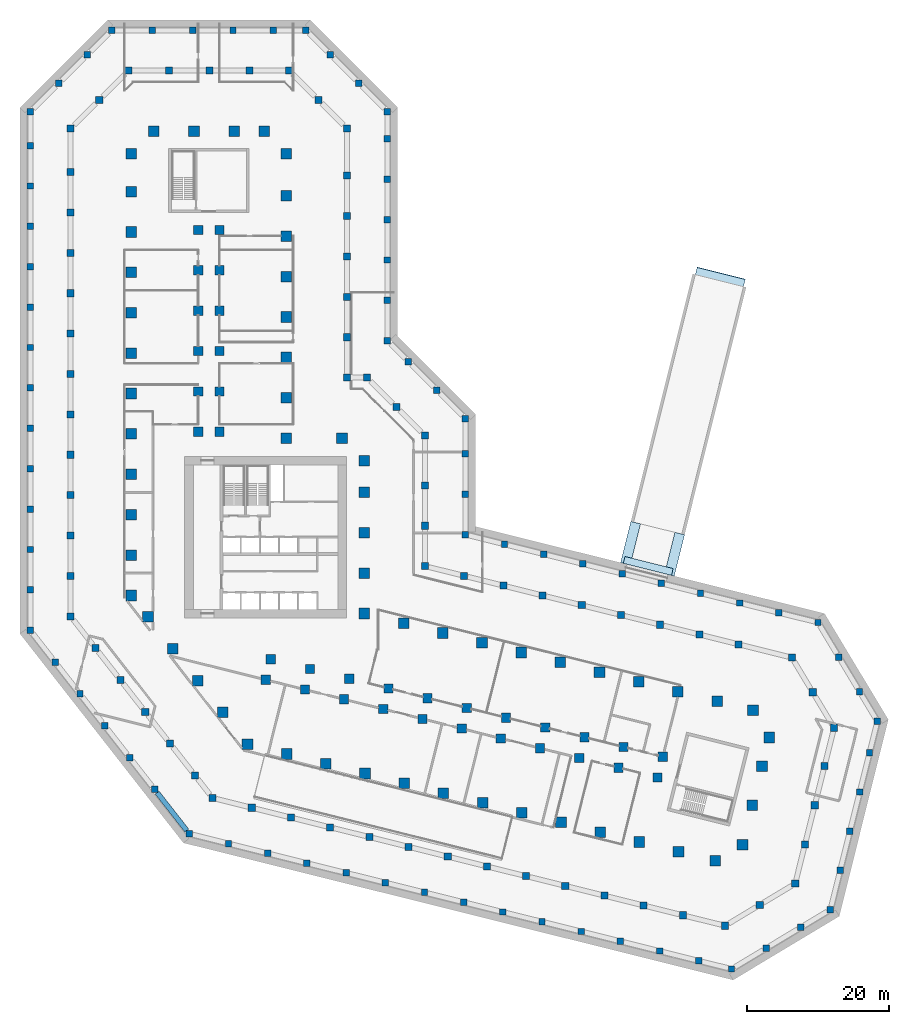
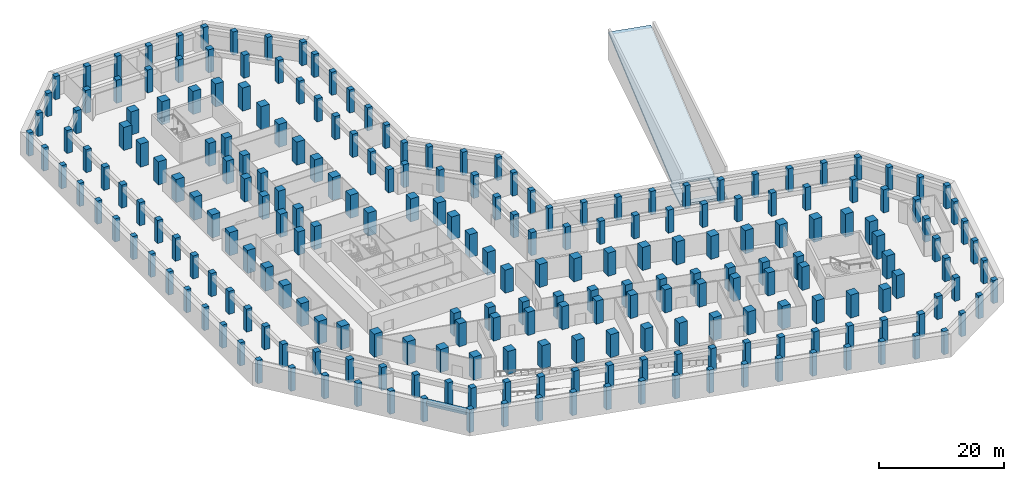
# One storey, part 1 of 14: 239 columns, 4 footings, 1 beam.
"""IFC4 building model written with IfcOpenShell, lengths in metres."""

from ifc_helpers import new_model, si_unit, direction, frame, origin, origin_2d, place, context, subcontext, project, spatial, polyline, rectangle, outline, extrude, material, layer, layer_set, material_profile, profile_set, type_object, element, save


model = new_model("IFC4")

# Units and contexts
model_context = context("Model", 3, precision=1e-05, world=origin(), true_north=direction((0.0, 1.0)))
body_context = subcontext(model_context, "Body", "Model", "MODEL_VIEW")
ifc_project = project(units=[si_unit("LENGTHUNIT", "METRE"), si_unit("AREAUNIT", "SQUARE_METRE"), si_unit("VOLUMEUNIT", "CUBIC_METRE"), si_unit("PLANEANGLEUNIT", "RADIAN"), si_unit("MASSUNIT", "GRAM", prefix="KILO")], contexts=[model_context])

# Site, building, storey
site_placement = place(None, origin())
site = spatial("IfcSite", under=ifc_project, at=site_placement, CompositionType="ELEMENT")
building_placement = place(site_placement, origin())
building = spatial("IfcBuilding", under=site, at=building_placement, Name="Meshkara Civic Tower", CompositionType="ELEMENT")
storey_placement = place(building_placement, frame((0.0, 0.0, -4.5)))
storey = spatial("IfcBuildingStorey", under=building, at=storey_placement, Name="B1", CompositionType="ELEMENT", Elevation=-4.5)

# Footings
ifc_material_1 = material(Name="Concrete C40", Category="concrete")
ifc_layer = layer(ifc_material_1, 0.39990234375)
ifc_layer_set = layer_set([ifc_layer], Name="RAMP FOOTING 400")
footing_type = type_object("IfcFootingType", Name="RAMP FOOTING 400", PredefinedType="PAD_FOOTING", material=ifc_layer_set)
footing_1_placement = place(storey_placement, frame((0.0, 0.0, -0.800048828125)))
element("IfcFooting", 1, at=footing_1_placement, inside=storey, type_object=footing_type, Name="Ramp landing footing", PredefinedType="PAD_FOOTING", context=body_context, shape_type="SweptSolid", body=[
    extrude(outline(polyline([(77.076904296875, 19.9970703125), (78.528564453125, 25.81884765625), (77.170166015625, 26.15771484375), (75.718505859375, 20.335693359375), (77.076904296875, 19.9970703125)])), origin(), (0.0, 0.0, 1.0), 0.400146484375),
])
footing_2_placement = place(storey_placement, frame((0.0, 0.0, -0.800048828125)))
element("IfcFooting", 2, at=footing_2_placement, inside=storey, type_object=footing_type, Name="Ramp landing footing", PredefinedType="PAD_FOOTING", context=body_context, shape_type="SweptSolid", body=[
    extrude(outline(polyline([(70.8671875, 21.54541015625), (72.318603515625, 27.3671875), (70.960205078125, 27.705810546875), (69.5087890625, 21.88427734375), (70.8671875, 21.54541015625)])), origin(), (0.0, 0.0, 1.0), 0.400146484375),
])
footing_3_placement = place(storey_placement, frame((0.0, 0.0, -0.800048828125)))
element("IfcFooting", 3, at=footing_3_placement, inside=storey, type_object=footing_type, Name="Ramp landing footing", PredefinedType="PAD_FOOTING", context=body_context, shape_type="SweptSolid", body=[
    extrude(outline(polyline([(76.68896484375, 20.093994140625), (76.930908203125, 21.064208984375), (70.138916015625, 22.7578125), (69.896728515625, 21.787353515625), (76.68896484375, 20.093994140625)])), origin(), (0.0, 0.0, 1.0), 0.400146484375),
])
footing_4_placement = place(storey_placement, frame((78.152587890625, 25.9638671875, -0.39697265625), z_axis=(-0.0300049813, -0.120350862493, 0.99227786985), x_axis=(-0.970300248883, 0.241903755691, -5.19195e-07)))
element("IfcFooting", 4, at=footing_4_placement, inside=storey, type_object=footing_type, Name="Ramp bed footing", PredefinedType="PAD_FOOTING", context=body_context, shape_type="SweptSolid", body=[
    extrude(outline(polyline([(0.0, 0.0), (7.000138592198582, 2.220446049250313e-16), (6.999132443142575, -37.28795487706003), (-0.0007692593468082255, -37.28789627459887), (0.0, 0.0)])), origin(), (0.0, 0.0, -1.0), 0.39990234375),
])

# Columns
ifc_material_2 = material(Name="Concrete C60", Category="concrete")
ifc_material_profile_1 = material_profile(ifc_material_2, rectangle(XDim=0.89990234375, YDim=0.89990234375, at=origin_2d()))
ifc_profile_set_1 = profile_set([ifc_material_profile_1], Name="Concrete C60")
column_type_1 = type_object("IfcColumnType", Name="Basement edge column RC 900x900 C60", PredefinedType="COLUMN", material=ifc_profile_set_1)
for number, where, z_axis, x_axis, name in (
    (5, (-2.297119140625, 97.02001953125, 0.0), (0.0, 0.0, 1.0), (1.0, 0.0, 0.0), "Column BM00-00 B1"),
    (6, (3.403076171875, 97.02001953125, 0.0), (0.0, 0.0, 1.0), (1.0, 0.0, 0.0), "Column BM00-01 B1"),
    (7, (9.10302734375, 97.02001953125, 0.0), (0.0, 0.0, 1.0), (1.0, 0.0, 0.0), "Column BM00-02 B1"),
    (8, (14.802978515625, 97.02001953125, 0.0), (0.0, 0.0, 1.0), (1.0, 0.0, 0.0), "Column BM00-03 B1"),
    (9, (20.5029296875, 97.02001953125, 0.0), (0.0, 0.0, 1.0), (1.0, 0.0, 0.0), "Column BM00-04 B1"),
    (10, (25.096923828125, 97.02001953125, 0.0), (0.0, 0.0, 1.0), (1.0, 0.0, 0.0), "Column BM00-E B1"),
    (11, (-13.800048828125, 85.51708984375, 0.0), (0.0, 0.0, 1.0), (1.0, 0.0, 0.0), "Column BM01-00 B1"),
    (12, (-9.76904296875, 89.548095703125, 0.0), (0.0, 0.0, 1.0), (1.0, 0.0, 0.0), "Column BM01-01 B1"),
    (13, (-5.739013671875, 93.577880859375, 0.0), (0.0, 0.0, 1.0), (1.0, 0.0, 0.0), "Column BM01-02 B1"),
    (14, (-13.800048828125, 12.347900390625, 0.0), (0.0, 0.0, 1.0), (1.0, 0.0, 0.0), "Column BM02-00 B1"),
    (15, (-13.800048828125, 18.048095703125, 0.0), (0.0, 0.0, 1.0), (1.0, 0.0, 0.0), "Column BM02-01 B1"),
    (16, (-13.800048828125, 23.748046875, 0.0), (0.0, 0.0, 1.0), (1.0, 0.0, 0.0), "Column BM02-02 B1"),
    (17, (-13.800048828125, 29.447998046875, 0.0), (0.0, 0.0, 1.0), (1.0, 0.0, 0.0), "Column BM02-03 B1"),
    (18, (-13.800048828125, 35.14794921875, 0.0), (0.0, 0.0, 1.0), (1.0, 0.0, 0.0), "Column BM02-04 B1"),
    (19, (-13.800048828125, 40.847900390625, 0.0), (0.0, 0.0, 1.0), (1.0, 0.0, 0.0), "Column BM02-05 B1"),
    (20, (-13.800048828125, 46.548095703125, 0.0), (0.0, 0.0, 1.0), (1.0, 0.0, 0.0), "Column BM02-06 B1"),
    (21, (-13.800048828125, 52.248046875, 0.0), (0.0, 0.0, 1.0), (1.0, 0.0, 0.0), "Column BM02-07 B1"),
    (22, (-13.800048828125, 57.947998046875, 0.0), (0.0, 0.0, 1.0), (1.0, 0.0, 0.0), "Column BM02-08 B1"),
    (23, (-13.800048828125, 63.64794921875, 0.0), (0.0, 0.0, 1.0), (1.0, 0.0, 0.0), "Column BM02-09 B1"),
    (24, (-13.800048828125, 69.347900390625, 0.0), (0.0, 0.0, 1.0), (1.0, 0.0, 0.0), "Column BM02-10 B1"),
    (25, (-13.800048828125, 75.048095703125, 0.0), (0.0, 0.0, 1.0), (1.0, 0.0, 0.0), "Column BM02-11 B1"),
    (26, (-13.800048828125, 80.748046875, 0.0), (0.0, 0.0, 1.0), (1.0, 0.0, 0.0), "Column BM02-12 B1"),
    (27, (-10.291015625, 7.85595703125, 0.0), (0.0, 0.0, 1.0), (1.0, 0.0, 0.0), "Column BM03-01 B1"),
    (28, (-6.781982421875, 3.364990234375, 0.0), (0.0, 0.0, 1.0), (1.0, 0.0, 0.0), "Column BM03-02 B1"),
    (29, (-3.27197265625, -1.126953125, 0.0), (0.0, 0.0, 1.0), (1.0, 0.0, 0.0), "Column BM03-03 B1"),
    (30, (0.237060546875, -5.618896484375, 0.0), (0.0, 0.0, 1.0), (1.0, 0.0, 0.0), "Column BM03-04 B1"),
    (31, (3.74609375, -10.110107421875, 0.0), (0.0, 0.0, 1.0), (1.0, 0.0, 0.0), "Column BM03-05 B1"),
    (32, (8.64306640625, -16.3779296875, 0.0), (0.0, 0.0, 1.0), (1.0, 0.0, 0.0), "Column BM03-E B1"),
    (33, (14.174072265625, -17.757080078125, 0.0), (0.0, 0.0, 1.0), (1.0, 0.0, 0.0), "Column BM04-01 B1"),
    (34, (19.7041015625, -19.135986328125, 0.0), (0.0, 0.0, 1.0), (1.0, 0.0, 0.0), "Column BM04-02 B1"),
    (35, (25.235107421875, -20.514892578125, 0.0), (0.0, 0.0, 1.0), (1.0, 0.0, 0.0), "Column BM04-03 B1"),
    (36, (30.76611328125, -21.89404296875, 0.0), (0.0, 0.0, 1.0), (1.0, 0.0, 0.0), "Column BM04-04 B1"),
    (37, (36.2958984375, -23.27197265625, 0.0), (0.0, 0.0, 1.0), (1.0, 0.0, 0.0), "Column BM04-05 B1"),
    (38, (41.826904296875, -24.65087890625, 0.0), (0.0, 0.0, 1.0), (1.0, 0.0, 0.0), "Column BM04-06 B1"),
    (39, (47.35791015625, -26.030029296875, 0.0), (0.0, 0.0, 1.0), (1.0, 0.0, 0.0), "Column BM04-07 B1"),
    (40, (52.888916015625, -27.408935546875, 0.0), (0.0, 0.0, 1.0), (1.0, 0.0, 0.0), "Column BM04-08 B1"),
    (41, (58.4189453125, -28.7880859375, 0.0), (0.0, 0.0, 1.0), (1.0, 0.0, 0.0), "Column BM04-09 B1"),
    (42, (63.949951171875, -30.1669921875, 0.0), (0.0, 0.0, 1.0), (1.0, 0.0, 0.0), "Column BM04-10 B1"),
    (43, (69.48095703125, -31.5458984375, 0.0), (0.0, 0.0, 1.0), (1.0, 0.0, 0.0), "Column BM04-11 B1"),
    (44, (75.010986328125, -32.925048828125, 0.0), (0.0, 0.0, 1.0), (1.0, 0.0, 0.0), "Column BM04-12 B1"),
    (45, (80.5419921875, -34.303955078125, 0.0), (0.0, 0.0, 1.0), (1.0, 0.0, 0.0), "Column BM04-13 B1"),
    (46, (85.16796875, -35.45703125, 0.0), (0.0, 0.0, 1.0), (1.0, 0.0, 0.0), "Column BM04-E B1"),
    (47, (90.053955078125, -32.52099609375, 0.0), (0.0, 0.0, 1.0), (1.0, 0.0, 0.0), "Column BM05-01 B1"),
    (48, (94.93994140625, -29.5849609375, 0.0), (0.0, 0.0, 1.0), (1.0, 0.0, 0.0), "Column BM05-02 B1"),
    (49, (99.112060546875, -27.077880859375, 0.0), (0.0, 0.0, 1.0), (1.0, 0.0, 0.0), "Column BM05-E B1"),
    (50, (100.490966796875, -21.547119140625, 0.0), (0.0, 0.0, 1.0), (1.0, 0.0, 0.0), "Column BM06-01 B1"),
    (51, (101.8701171875, -16.01708984375, 0.0), (0.0, 0.0, 1.0), (1.0, 0.0, 0.0), "Column BM06-02 B1"),
    (52, (103.25, -10.486083984375, 0.0), (0.0, 0.0, 1.0), (1.0, 0.0, 0.0), "Column BM06-03 B1"),
    (53, (104.62890625, -4.955078125, 0.0), (0.0, 0.0, 1.0), (1.0, 0.0, 0.0), "Column BM06-04 B1"),
    (54, (105.739990234375, -0.4990234375, 0.0), (0.0, 0.0, 1.0), (1.0, 0.0, 0.0), "Column BM06-E B1"),
    (55, (97.360107421875, 13.445068359375, 0.0), (0.0, 0.0, 1.0), (1.0, 0.0, 0.0), "Column BM07-00 B1"),
    (56, (100.2958984375, 8.55908203125, 0.0), (0.0, 0.0, 1.0), (1.0, 0.0, 0.0), "Column BM07-01 B1"),
    (57, (103.23193359375, 3.674072265625, 0.0), (0.0, 0.0, 1.0), (1.0, 0.0, 0.0), "Column BM07-02 B1"),
    (58, (47.60009765625, 25.85205078125, 0.0), (0.0, 0.0, 1.0), (1.0, 0.0, 0.0), "Column BM08-00 B1"),
    (59, (53.131103515625, 24.472900390625, 0.0), (0.0, 0.0, 1.0), (1.0, 0.0, 0.0), "Column BM08-01 B1"),
    (60, (58.660888671875, 23.093994140625, 0.0), (0.0, 0.0, 1.0), (1.0, 0.0, 0.0), "Column BM08-02 B1"),
    (61, (64.19189453125, 21.715087890625, 0.0), (0.0, 0.0, 1.0), (1.0, 0.0, 0.0), "Column BM08-03 B1"),
    (62, (69.722900390625, 20.3359375, 0.0), (0.0, 0.0, 1.0), (1.0, 0.0, 0.0), "Column BM08-04 B1"),
    (63, (75.2529296875, 18.95703125, 0.0), (0.0, 0.0, 1.0), (1.0, 0.0, 0.0), "Column BM08-05 B1"),
    (64, (80.783935546875, 17.577880859375, 0.0), (0.0, 0.0, 1.0), (1.0, 0.0, 0.0), "Column BM08-06 B1"),
    (65, (86.31494140625, 16.198974609375, 0.0), (0.0, 0.0, 1.0), (1.0, 0.0, 0.0), "Column BM08-07 B1"),
    (66, (91.844970703125, 14.820068359375, 0.0), (0.0, 0.0, 1.0), (1.0, 0.0, 0.0), "Column BM08-08 B1"),
    (67, (47.60009765625, 31.552001953125, 0.0), (0.0, 0.0, 1.0), (1.0, 0.0, 0.0), "Column BM09-01 B1"),
    (68, (47.60009765625, 37.251953125, 0.0), (0.0, 0.0, 1.0), (1.0, 0.0, 0.0), "Column BM09-02 B1"),
    (69, (47.60009765625, 42.197021484375, 0.0), (0.0, 0.0, 1.0), (1.0, 0.0, 0.0), "Column BM09-E B1"),
    (70, (43.569091796875, 46.22802734375, 0.0), (0.0, 0.0, 1.0), (1.0, 0.0, 0.0), "Column BM10-01 B1"),
    (71, (39.5390625, 50.258056640625, 0.0), (0.0, 0.0, 1.0), (1.0, 0.0, 0.0), "Column BM10-02 B1"),
    (72, (36.60009765625, 53.197021484375, 0.0), (0.0, 0.0, 1.0), (1.0, 0.0, 0.0), "Column BM10-E B1"),
    (73, (36.60009765625, 58.89697265625, 0.0), (0.0, 0.0, 1.0), (1.0, 0.0, 0.0), "Column BM11-01 B1"),
    (74, (36.60009765625, 64.596923828125, 0.0), (0.0, 0.0, 1.0), (1.0, 0.0, 0.0), "Column BM11-02 B1"),
    (75, (36.60009765625, 70.297119140625, 0.0), (0.0, 0.0, 1.0), (1.0, 0.0, 0.0), "Column BM11-03 B1"),
    (76, (36.60009765625, 75.9970703125, 0.0), (0.0, 0.0, 1.0), (1.0, 0.0, 0.0), "Column BM11-04 B1"),
    (77, (36.60009765625, 81.697021484375, 0.0), (0.0, 0.0, 1.0), (1.0, 0.0, 0.0), "Column BM11-05 B1"),
    (78, (36.60009765625, 85.51708984375, 0.0), (0.0, 0.0, 1.0), (1.0, 0.0, 0.0), "Column BM11-E B1"),
    (79, (32.569091796875, 89.548095703125, 0.0), (0.0, 0.0, 1.0), (1.0, 0.0, 0.0), "Column BM12-01 B1"),
    (80, (28.5390625, 93.577880859375, 0.0), (0.0, 0.0, 1.0), (1.0, 0.0, 0.0), "Column BM12-02 B1"),
):
    element("IfcColumn", number, at=place(storey_placement, frame(where, z_axis=z_axis, x_axis=x_axis)), inside=storey, type_object=column_type_1, Name=name, PredefinedType="COLUMN", context=body_context, shape_type="SweptSolid", body=[
        extrude(rectangle(XDim=0.89990234375, YDim=0.89990234375, at=origin_2d()), origin(), (0.0, 0.0, 1.0), 4.5),
    ])
ifc_material_3 = material(Name="Concrete C80", Category="concrete")
ifc_material_profile_2 = material_profile(ifc_material_3, rectangle(XDim=1.300048828125, YDim=1.300048828125, at=origin_2d()))
ifc_profile_set_2 = profile_set([ifc_material_profile_2], Name="Concrete C80")
column_type_2 = type_object("IfcColumnType", Name="Interior column RC 1300x1300 C80", PredefinedType="COLUMN", material=ifc_profile_set_2)
for number, where, z_axis, x_axis, name in (
    (81, (9.89990234375, 40.35009765625, 0.0), (0.0, 0.0, 1.0), (1.0, 0.0, 0.0), "Column SA1-04 B1"),
    (82, (9.89990234375, 46.050048828125, 0.0), (0.0, 0.0, 1.0), (1.0, 0.0, 0.0), "Column SA1-05 B1"),
    (83, (9.89990234375, 51.75, 0.0), (0.0, 0.0, 1.0), (1.0, 0.0, 0.0), "Column SA1-06 B1"),
    (84, (9.89990234375, 57.449951171875, 0.0), (0.0, 0.0, 1.0), (1.0, 0.0, 0.0), "Column SA1-07 B1"),
    (85, (9.89990234375, 63.14990234375, 0.0), (0.0, 0.0, 1.0), (1.0, 0.0, 0.0), "Column SA1-08 B1"),
    (86, (9.89990234375, 68.85009765625, 0.0), (0.0, 0.0, 1.0), (1.0, 0.0, 0.0), "Column SA1-09 B1"),
    (87, (12.89990234375, 40.35009765625, 0.0), (0.0, 0.0, 1.0), (1.0, 0.0, 0.0), "Column SA2-04 B1"),
    (88, (12.89990234375, 46.050048828125, 0.0), (0.0, 0.0, 1.0), (1.0, 0.0, 0.0), "Column SA2-05 B1"),
    (89, (12.89990234375, 51.75, 0.0), (0.0, 0.0, 1.0), (1.0, 0.0, 0.0), "Column SA2-06 B1"),
    (90, (12.89990234375, 57.449951171875, 0.0), (0.0, 0.0, 1.0), (1.0, 0.0, 0.0), "Column SA2-07 B1"),
    (91, (12.89990234375, 63.14990234375, 0.0), (0.0, 0.0, 1.0), (1.0, 0.0, 0.0), "Column SA2-08 B1"),
    (92, (12.89990234375, 68.85009765625, 0.0), (0.0, 0.0, 1.0), (1.0, 0.0, 0.0), "Column SA2-09 B1"),
    (93, (19.424072265625, 5.360107421875, 0.0), (0.0, 0.0, 1.0), (1.0, 0.0, 0.0), "Column SB1-00 B1"),
    (94, (24.9541015625, 3.98095703125, 0.0), (0.0, 0.0, 1.0), (1.0, 0.0, 0.0), "Column SB1-01 B1"),
    (95, (30.485107421875, 2.60205078125, 0.0), (0.0, 0.0, 1.0), (1.0, 0.0, 0.0), "Column SB1-02 B1"),
    (96, (36.01611328125, 1.222900390625, 0.0), (0.0, 0.0, 1.0), (1.0, 0.0, 0.0), "Column SB1-03 B1"),
    (97, (41.5458984375, -0.156005859375, 0.0), (0.0, 0.0, 1.0), (1.0, 0.0, 0.0), "Column SB1-04 B1"),
    (98, (47.076904296875, -1.534912109375, 0.0), (0.0, 0.0, 1.0), (1.0, 0.0, 0.0), "Column SB1-05 B1"),
    (99, (52.60791015625, -2.9140625, 0.0), (0.0, 0.0, 1.0), (1.0, 0.0, 0.0), "Column SB1-06 B1"),
    (100, (58.138916015625, -4.2919921875, 0.0), (0.0, 0.0, 1.0), (1.0, 0.0, 0.0), "Column SB1-07 B1"),
    (101, (63.6689453125, -5.6708984375, 0.0), (0.0, 0.0, 1.0), (1.0, 0.0, 0.0), "Column SB1-08 B1"),
    (102, (69.199951171875, -7.050048828125, 0.0), (0.0, 0.0, 1.0), (1.0, 0.0, 0.0), "Column SB1-09 B1"),
    (103, (74.73095703125, -8.428955078125, 0.0), (0.0, 0.0, 1.0), (1.0, 0.0, 0.0), "Column SB1-10 B1"),
    (104, (20.14892578125, 8.27099609375, 0.0), (0.0, 0.0, 1.0), (1.0, 0.0, 0.0), "Column SB2-00 B1"),
    (105, (25.679931640625, 6.89208984375, 0.0), (0.0, 0.0, 1.0), (1.0, 0.0, 0.0), "Column SB2-01 B1"),
    (106, (31.2109375, 5.512939453125, 0.0), (0.0, 0.0, 1.0), (1.0, 0.0, 0.0), "Column SB2-02 B1"),
    (107, (36.741943359375, 4.134033203125, 0.0), (0.0, 0.0, 1.0), (1.0, 0.0, 0.0), "Column SB2-03 B1"),
    (108, (42.27197265625, 2.7548828125, 0.0), (0.0, 0.0, 1.0), (1.0, 0.0, 0.0), "Column SB2-04 B1"),
    (109, (47.802978515625, 1.3759765625, 0.0), (0.0, 0.0, 1.0), (1.0, 0.0, 0.0), "Column SB2-05 B1"),
    (110, (53.333984375, -0.0029296875, 0.0), (0.0, 0.0, 1.0), (1.0, 0.0, 0.0), "Column SB2-06 B1"),
    (111, (58.864013671875, -1.382080078125, 0.0), (0.0, 0.0, 1.0), (1.0, 0.0, 0.0), "Column SB2-07 B1"),
    (112, (64.39501953125, -2.760986328125, 0.0), (0.0, 0.0, 1.0), (1.0, 0.0, 0.0), "Column SB2-08 B1"),
    (113, (69.926025390625, -4.139892578125, 0.0), (0.0, 0.0, 1.0), (1.0, 0.0, 0.0), "Column SB2-09 B1"),
    (114, (75.4560546875, -5.51806640625, 0.0), (0.0, 0.0, 1.0), (1.0, 0.0, 0.0), "Column SB2-10 B1"),
):
    element("IfcColumn", number, at=place(storey_placement, frame(where, z_axis=z_axis, x_axis=x_axis)), inside=storey, type_object=column_type_2, Name=name, PredefinedType="COLUMN", context=body_context, shape_type="SweptSolid", body=[
        extrude(rectangle(XDim=1.300048828125, YDim=1.300048828125, at=origin_2d()), origin(), (0.0, 0.0, 1.0), 4.5),
    ])
ifc_material_4 = material(Name="Concrete C80", Category="concrete")
ifc_material_profile_3 = material_profile(ifc_material_4, rectangle(XDim=1.5, YDim=1.5, at=origin_2d()))
ifc_profile_set_3 = profile_set([ifc_material_profile_3], Name="Concrete C80")
column_type_3 = type_object("IfcColumnType", Name="Perimeter column RC 1500x1500 C80", PredefinedType="COLUMN", material=ifc_profile_set_3)
for number, where, z_axis, x_axis, name in (
    (115, (33.35009765625, 14.718994140625, 0.0), (0.0, 0.0, 1.0), (1.0, 0.0, 0.0), "Column HE00 B1"),
    (116, (33.35009765625, 20.4189453125, 0.0), (0.0, 0.0, 1.0), (1.0, 0.0, 0.0), "Column HE01 B1"),
    (117, (33.35009765625, 26.118896484375, 0.0), (0.0, 0.0, 1.0), (1.0, 0.0, 0.0), "Column HE02 B1"),
    (118, (33.35009765625, 31.819091796875, 0.0), (0.0, 0.0, 1.0), (1.0, 0.0, 0.0), "Column HE03 B1"),
    (119, (33.35009765625, 36.2939453125, 0.0), (0.0, 0.0, 1.0), (1.0, 0.0, 0.0), "Column HEE B1"),
    (120, (30.194091796875, 39.449951171875, 0.0), (0.0, 0.0, 1.0), (1.0, 0.0, 0.0), "Column HCeE B1"),
    (121, (22.35009765625, 39.449951171875, 0.0), (0.0, 0.0, 1.0), (1.0, 0.0, 0.0), "Column HN00 B1"),
    (122, (22.35009765625, 45.14990234375, 0.0), (0.0, 0.0, 1.0), (1.0, 0.0, 0.0), "Column AE01 B1"),
    (123, (22.35009765625, 50.85009765625, 0.0), (0.0, 0.0, 1.0), (1.0, 0.0, 0.0), "Column AE02 B1"),
    (124, (22.35009765625, 56.550048828125, 0.0), (0.0, 0.0, 1.0), (1.0, 0.0, 0.0), "Column AE03 B1"),
    (125, (22.35009765625, 62.25, 0.0), (0.0, 0.0, 1.0), (1.0, 0.0, 0.0), "Column AE04 B1"),
    (126, (22.35009765625, 67.949951171875, 0.0), (0.0, 0.0, 1.0), (1.0, 0.0, 0.0), "Column AE05 B1"),
    (127, (22.35009765625, 73.64990234375, 0.0), (0.0, 0.0, 1.0), (1.0, 0.0, 0.0), "Column AE06 B1"),
    (128, (22.35009765625, 79.614013671875, 0.0), (0.0, 0.0, 1.0), (1.0, 0.0, 0.0), "Column AEE B1"),
    (129, (19.194091796875, 82.77001953125, 0.0), (0.0, 0.0, 1.0), (1.0, 0.0, 0.0), "Column ATiE B1"),
    (130, (3.60595703125, 82.77001953125, 0.0), (0.0, 0.0, 1.0), (1.0, 0.0, 0.0), "Column AT00 B1"),
    (131, (9.305908203125, 82.77001953125, 0.0), (0.0, 0.0, 1.0), (1.0, 0.0, 0.0), "Column AT01 B1"),
    (132, (15.006103515625, 82.77001953125, 0.0), (0.0, 0.0, 1.0), (1.0, 0.0, 0.0), "Column AT02 B1"),
    (133, (0.449951171875, 79.614013671875, 0.0), (0.0, 0.0, 1.0), (1.0, 0.0, 0.0), "Column ATo00 B1"),
    (134, (0.449951171875, 17.2548828125, 0.0), (0.0, 0.0, 1.0), (1.0, 0.0, 0.0), "Column AW00 B1"),
    (135, (0.449951171875, 22.955078125, 0.0), (0.0, 0.0, 1.0), (1.0, 0.0, 0.0), "Column AW01 B1"),
    (136, (0.449951171875, 28.655029296875, 0.0), (0.0, 0.0, 1.0), (1.0, 0.0, 0.0), "Column AW02 B1"),
    (137, (0.449951171875, 34.35498046875, 0.0), (0.0, 0.0, 1.0), (1.0, 0.0, 0.0), "Column AW03 B1"),
    (138, (0.449951171875, 40.054931640625, 0.0), (0.0, 0.0, 1.0), (1.0, 0.0, 0.0), "Column AW04 B1"),
    (139, (0.449951171875, 45.7548828125, 0.0), (0.0, 0.0, 1.0), (1.0, 0.0, 0.0), "Column AW05 B1"),
    (140, (0.449951171875, 51.455078125, 0.0), (0.0, 0.0, 1.0), (1.0, 0.0, 0.0), "Column AW06 B1"),
    (141, (0.449951171875, 57.155029296875, 0.0), (0.0, 0.0, 1.0), (1.0, 0.0, 0.0), "Column AW07 B1"),
    (142, (0.449951171875, 62.85498046875, 0.0), (0.0, 0.0, 1.0), (1.0, 0.0, 0.0), "Column AW08 B1"),
    (143, (0.449951171875, 68.554931640625, 0.0), (0.0, 0.0, 1.0), (1.0, 0.0, 0.0), "Column AW09 B1"),
    (144, (0.449951171875, 74.2548828125, 0.0), (0.0, 0.0, 1.0), (1.0, 0.0, 0.0), "Column AW10 B1"),
    (145, (16.85107421875, -3.738037109375, 0.0), (0.0, 0.0, 1.0), (1.0, 0.0, 0.0), "Column BOW00 B1"),
    (146, (13.342041015625, 0.75390625, 0.0), (0.0, 0.0, 1.0), (1.0, 0.0, 0.0), "Column BOW01 B1"),
    (147, (9.8330078125, 5.2451171875, 0.0), (0.0, 0.0, 1.0), (1.0, 0.0, 0.0), "Column BOW02 B1"),
    (148, (6.322998046875, 9.737060546875, 0.0), (0.0, 0.0, 1.0), (1.0, 0.0, 0.0), "Column BOW03 B1"),
    (149, (2.81396484375, 14.22900390625, 0.0), (0.0, 0.0, 1.0), (1.0, 0.0, 0.0), "Column BOW04 B1"),
    (150, (22.382080078125, -5.116943359375, 0.0), (0.0, 0.0, 1.0), (1.0, 0.0, 0.0), "Column BS01 B1"),
    (151, (27.912109375, -6.49609375, 0.0), (0.0, 0.0, 1.0), (1.0, 0.0, 0.0), "Column BS02 B1"),
    (152, (33.443115234375, -7.875, 0.0), (0.0, 0.0, 1.0), (1.0, 0.0, 0.0), "Column BS03 B1"),
    (153, (38.97412109375, -9.25390625, 0.0), (0.0, 0.0, 1.0), (1.0, 0.0, 0.0), "Column BS04 B1"),
    (154, (44.5048828125, -10.632080078125, 0.0), (0.0, 0.0, 1.0), (1.0, 0.0, 0.0), "Column BS05 B1"),
    (155, (50.034912109375, -12.010986328125, 0.0), (0.0, 0.0, 1.0), (1.0, 0.0, 0.0), "Column BS06 B1"),
    (156, (55.56591796875, -13.389892578125, 0.0), (0.0, 0.0, 1.0), (1.0, 0.0, 0.0), "Column BS07 B1"),
    (157, (61.096923828125, -14.76904296875, 0.0), (0.0, 0.0, 1.0), (1.0, 0.0, 0.0), "Column BS08 B1"),
    (158, (66.626953125, -16.14794921875, 0.0), (0.0, 0.0, 1.0), (1.0, 0.0, 0.0), "Column BS09 B1"),
    (159, (72.157958984375, -17.527099609375, 0.0), (0.0, 0.0, 1.0), (1.0, 0.0, 0.0), "Column BS10 B1"),
    (160, (77.68896484375, -18.906005859375, 0.0), (0.0, 0.0, 1.0), (1.0, 0.0, 0.0), "Column BS11 B1"),
    (161, (82.887939453125, -20.201904296875, 0.0), (0.0, 0.0, 1.0), (1.0, 0.0, 0.0), "Column BSE B1"),
    (162, (86.714111328125, -17.903076171875, 0.0), (0.0, 0.0, 1.0), (1.0, 0.0, 0.0), "Column BToE B1"),
    (163, (88.093017578125, -12.3720703125, 0.0), (0.0, 0.0, 1.0), (1.0, 0.0, 0.0), "Column BT01 B1"),
    (164, (89.471923828125, -6.842041015625, 0.0), (0.0, 0.0, 1.0), (1.0, 0.0, 0.0), "Column BT02 B1"),
    (165, (90.485107421875, -2.779052734375, 0.0), (0.0, 0.0, 1.0), (1.0, 0.0, 0.0), "Column BTE B1"),
    (166, (88.18603515625, 1.0458984375, 0.0), (0.0, 0.0, 1.0), (1.0, 0.0, 0.0), "Column BTi00 B1"),
    (167, (38.881103515625, 13.340087890625, 0.0), (0.0, 0.0, 1.0), (1.0, 0.0, 0.0), "Column BN01 B1"),
    (168, (44.410888671875, 11.9609375, 0.0), (0.0, 0.0, 1.0), (1.0, 0.0, 0.0), "Column BN02 B1"),
    (169, (49.94189453125, 10.58203125, 0.0), (0.0, 0.0, 1.0), (1.0, 0.0, 0.0), "Column BN03 B1"),
    (170, (55.472900390625, 9.202880859375, 0.0), (0.0, 0.0, 1.0), (1.0, 0.0, 0.0), "Column BN04 B1"),
    (171, (61.0029296875, 7.823974609375, 0.0), (0.0, 0.0, 1.0), (1.0, 0.0, 0.0), "Column BN05 B1"),
    (172, (66.533935546875, 6.445068359375, 0.0), (0.0, 0.0, 1.0), (1.0, 0.0, 0.0), "Column BN06 B1"),
    (173, (72.06494140625, 5.06591796875, 0.0), (0.0, 0.0, 1.0), (1.0, 0.0, 0.0), "Column BN07 B1"),
    (174, (77.594970703125, 3.68701171875, 0.0), (0.0, 0.0, 1.0), (1.0, 0.0, 0.0), "Column BN08 B1"),
    (175, (83.1259765625, 2.30810546875, 0.0), (0.0, 0.0, 1.0), (1.0, 0.0, 0.0), "Column BN09 B1"),
):
    element("IfcColumn", number, at=place(storey_placement, frame(where, z_axis=z_axis, x_axis=x_axis)), inside=storey, type_object=column_type_3, Name=name, PredefinedType="COLUMN", context=body_context, shape_type="SweptSolid", body=[
        extrude(rectangle(XDim=1.5, YDim=1.5, at=origin_2d()), origin(), (0.0, 0.0, 1.0), 4.5),
    ])
ifc_material_5 = material(Name="Concrete C60", Category="concrete")
ifc_material_profile_4 = material_profile(ifc_material_5, rectangle(XDim=1.0, YDim=1.0, at=origin_2d()))
ifc_profile_set_4 = profile_set([ifc_material_profile_4], Name="Concrete C60")
column_type_4 = type_object("IfcColumnType", Name="Podium edge column RC 1000x1000 C60", PredefinedType="COLUMN", material=ifc_profile_set_4)
for number, where, z_axis, x_axis, name in (
    (176, (0.06396484375, 91.320068359375, 0.0), (0.0, 0.0, 1.0), (1.0, 0.0, 0.0), "Column PD00-00 B1"),
    (177, (5.763916015625, 91.320068359375, 0.0), (0.0, 0.0, 1.0), (1.0, 0.0, 0.0), "Column PD00-01 B1"),
    (178, (11.464111328125, 91.320068359375, 0.0), (0.0, 0.0, 1.0), (1.0, 0.0, 0.0), "Column PD00-02 B1"),
    (179, (17.1640625, 91.320068359375, 0.0), (0.0, 0.0, 1.0), (1.0, 0.0, 0.0), "Column PD00-03 B1"),
    (180, (22.736083984375, 91.320068359375, 0.0), (0.0, 0.0, 1.0), (1.0, 0.0, 0.0), "Column PD00-E B1"),
    (181, (-8.10009765625, 83.156005859375, 0.0), (0.0, 0.0, 1.0), (1.0, 0.0, 0.0), "Column PD01-00 B1"),
    (182, (-4.069091796875, 87.18701171875, 0.0), (0.0, 0.0, 1.0), (1.0, 0.0, 0.0), "Column PD01-01 B1"),
    (183, (-8.10009765625, 14.31103515625, 0.0), (0.0, 0.0, 1.0), (1.0, 0.0, 0.0), "Column PD02-00 B1"),
    (184, (-8.10009765625, 20.010986328125, 0.0), (0.0, 0.0, 1.0), (1.0, 0.0, 0.0), "Column PD02-01 B1"),
    (185, (-8.10009765625, 25.7109375, 0.0), (0.0, 0.0, 1.0), (1.0, 0.0, 0.0), "Column PD02-02 B1"),
    (186, (-8.10009765625, 31.410888671875, 0.0), (0.0, 0.0, 1.0), (1.0, 0.0, 0.0), "Column PD02-03 B1"),
    (187, (-8.10009765625, 37.111083984375, 0.0), (0.0, 0.0, 1.0), (1.0, 0.0, 0.0), "Column PD02-04 B1"),
    (188, (-8.10009765625, 42.81103515625, 0.0), (0.0, 0.0, 1.0), (1.0, 0.0, 0.0), "Column PD02-05 B1"),
    (189, (-8.10009765625, 48.510986328125, 0.0), (0.0, 0.0, 1.0), (1.0, 0.0, 0.0), "Column PD02-06 B1"),
    (190, (-8.10009765625, 54.2109375, 0.0), (0.0, 0.0, 1.0), (1.0, 0.0, 0.0), "Column PD02-07 B1"),
    (191, (-8.10009765625, 59.910888671875, 0.0), (0.0, 0.0, 1.0), (1.0, 0.0, 0.0), "Column PD02-08 B1"),
    (192, (-8.10009765625, 65.611083984375, 0.0), (0.0, 0.0, 1.0), (1.0, 0.0, 0.0), "Column PD02-09 B1"),
    (193, (-8.10009765625, 71.31103515625, 0.0), (0.0, 0.0, 1.0), (1.0, 0.0, 0.0), "Column PD02-10 B1"),
    (194, (-8.10009765625, 77.010986328125, 0.0), (0.0, 0.0, 1.0), (1.0, 0.0, 0.0), "Column PD02-11 B1"),
    (195, (-4.591064453125, 9.819091796875, 0.0), (0.0, 0.0, 1.0), (1.0, 0.0, 0.0), "Column PD03-01 B1"),
    (196, (-1.08203125, 5.327880859375, 0.0), (0.0, 0.0, 1.0), (1.0, 0.0, 0.0), "Column PD03-02 B1"),
    (197, (2.427978515625, 0.8359375, 0.0), (0.0, 0.0, 1.0), (1.0, 0.0, 0.0), "Column PD03-03 B1"),
    (198, (5.93701171875, -3.656005859375, 0.0), (0.0, 0.0, 1.0), (1.0, 0.0, 0.0), "Column PD03-04 B1"),
    (199, (9.446044921875, -8.14794921875, 0.0), (0.0, 0.0, 1.0), (1.0, 0.0, 0.0), "Column PD03-05 B1"),
    (200, (11.926025390625, -11.322021484375, 0.0), (0.0, 0.0, 1.0), (1.0, 0.0, 0.0), "Column PD03-E B1"),
    (201, (17.45703125, -12.700927734375, 0.0), (0.0, 0.0, 1.0), (1.0, 0.0, 0.0), "Column PD04-01 B1"),
    (202, (22.987060546875, -14.080078125, 0.0), (0.0, 0.0, 1.0), (1.0, 0.0, 0.0), "Column PD04-02 B1"),
    (203, (28.51806640625, -15.458984375, 0.0), (0.0, 0.0, 1.0), (1.0, 0.0, 0.0), "Column PD04-03 B1"),
    (204, (34.049072265625, -16.837890625, 0.0), (0.0, 0.0, 1.0), (1.0, 0.0, 0.0), "Column PD04-04 B1"),
    (205, (39.580078125, -18.216064453125, 0.0), (0.0, 0.0, 1.0), (1.0, 0.0, 0.0), "Column PD04-05 B1"),
    (206, (45.110107421875, -19.594970703125, 0.0), (0.0, 0.0, 1.0), (1.0, 0.0, 0.0), "Column PD04-06 B1"),
    (207, (50.64111328125, -20.97412109375, 0.0), (0.0, 0.0, 1.0), (1.0, 0.0, 0.0), "Column PD04-07 B1"),
    (208, (56.172119140625, -22.35302734375, 0.0), (0.0, 0.0, 1.0), (1.0, 0.0, 0.0), "Column PD04-08 B1"),
    (209, (61.701904296875, -23.73193359375, 0.0), (0.0, 0.0, 1.0), (1.0, 0.0, 0.0), "Column PD04-09 B1"),
    (210, (67.23291015625, -25.111083984375, 0.0), (0.0, 0.0, 1.0), (1.0, 0.0, 0.0), "Column PD04-10 B1"),
    (211, (72.763916015625, -26.489990234375, 0.0), (0.0, 0.0, 1.0), (1.0, 0.0, 0.0), "Column PD04-11 B1"),
    (212, (78.2939453125, -27.868896484375, 0.0), (0.0, 0.0, 1.0), (1.0, 0.0, 0.0), "Column PD04-12 B1"),
    (213, (84.256103515625, -29.35498046875, 0.0), (0.0, 0.0, 1.0), (1.0, 0.0, 0.0), "Column PD04-E B1"),
    (214, (89.14208984375, -26.4189453125, 0.0), (0.0, 0.0, 1.0), (1.0, 0.0, 0.0), "Column PD05-01 B1"),
    (215, (94.153076171875, -23.407958984375, 0.0), (0.0, 0.0, 1.0), (1.0, 0.0, 0.0), "Column PD05-E B1"),
    (216, (95.531982421875, -17.876953125, 0.0), (0.0, 0.0, 1.0), (1.0, 0.0, 0.0), "Column PD06-01 B1"),
    (217, (96.910888671875, -12.346923828125, 0.0), (0.0, 0.0, 1.0), (1.0, 0.0, 0.0), "Column PD06-02 B1"),
    (218, (98.2900390625, -6.81591796875, 0.0), (0.0, 0.0, 1.0), (1.0, 0.0, 0.0), "Column PD06-03 B1"),
    (219, (99.637939453125, -1.410888671875, 0.0), (0.0, 0.0, 1.0), (1.0, 0.0, 0.0), "Column PD06-E B1"),
    (220, (93.68994140625, 8.485107421875, 0.0), (0.0, 0.0, 1.0), (1.0, 0.0, 0.0), "Column PD07-00 B1"),
    (221, (96.6259765625, 3.60009765625, 0.0), (0.0, 0.0, 1.0), (1.0, 0.0, 0.0), "Column PD07-01 B1"),
    (222, (41.89990234375, 21.39892578125, 0.0), (0.0, 0.0, 1.0), (1.0, 0.0, 0.0), "Column PD08-00 B1"),
    (223, (47.430908203125, 20.02001953125, 0.0), (0.0, 0.0, 1.0), (1.0, 0.0, 0.0), "Column PD08-01 B1"),
    (224, (52.9609375, 18.64111328125, 0.0), (0.0, 0.0, 1.0), (1.0, 0.0, 0.0), "Column PD08-02 B1"),
    (225, (58.491943359375, 17.261962890625, 0.0), (0.0, 0.0, 1.0), (1.0, 0.0, 0.0), "Column PD08-03 B1"),
    (226, (64.02294921875, 15.883056640625, 0.0), (0.0, 0.0, 1.0), (1.0, 0.0, 0.0), "Column PD08-04 B1"),
    (227, (69.552978515625, 14.50390625, 0.0), (0.0, 0.0, 1.0), (1.0, 0.0, 0.0), "Column PD08-05 B1"),
    (228, (75.083984375, 13.1240234375, 0.0), (0.0, 0.0, 1.0), (1.0, 0.0, 0.0), "Column PD08-06 B1"),
    (229, (80.614990234375, 11.7451171875, 0.0), (0.0, 0.0, 1.0), (1.0, 0.0, 0.0), "Column PD08-07 B1"),
    (230, (86.14501953125, 10.365966796875, 0.0), (0.0, 0.0, 1.0), (1.0, 0.0, 0.0), "Column PD08-08 B1"),
    (231, (41.89990234375, 27.09912109375, 0.0), (0.0, 0.0, 1.0), (1.0, 0.0, 0.0), "Column PD09-01 B1"),
    (232, (41.89990234375, 32.799072265625, 0.0), (0.0, 0.0, 1.0), (1.0, 0.0, 0.0), "Column PD09-02 B1"),
    (233, (41.89990234375, 39.8359375, 0.0), (0.0, 0.0, 1.0), (1.0, 0.0, 0.0), "Column PD09-E B1"),
    (234, (37.868896484375, 43.866943359375, 0.0), (0.0, 0.0, 1.0), (1.0, 0.0, 0.0), "Column PD10-01 B1"),
    (235, (33.736083984375, 48.0, 0.0), (0.0, 0.0, 1.0), (1.0, 0.0, 0.0), "Column PD10-E B1"),
    (236, (30.89990234375, 48.0, 0.0), (0.0, 0.0, 1.0), (1.0, 0.0, 0.0), "Column PD11-00 B1"),
    (237, (30.89990234375, 53.699951171875, 0.0), (0.0, 0.0, 1.0), (1.0, 0.0, 0.0), "Column PD12-01 B1"),
    (238, (30.89990234375, 59.39990234375, 0.0), (0.0, 0.0, 1.0), (1.0, 0.0, 0.0), "Column PD12-02 B1"),
    (239, (30.89990234375, 65.10009765625, 0.0), (0.0, 0.0, 1.0), (1.0, 0.0, 0.0), "Column PD12-03 B1"),
    (240, (30.89990234375, 70.800048828125, 0.0), (0.0, 0.0, 1.0), (1.0, 0.0, 0.0), "Column PD12-04 B1"),
    (241, (30.89990234375, 76.5, 0.0), (0.0, 0.0, 1.0), (1.0, 0.0, 0.0), "Column PD12-05 B1"),
    (242, (30.89990234375, 83.156005859375, 0.0), (0.0, 0.0, 1.0), (1.0, 0.0, 0.0), "Column PD12-E B1"),
    (243, (26.868896484375, 87.18701171875, 0.0), (0.0, 0.0, 1.0), (1.0, 0.0, 0.0), "Column PD13-01 B1"),
):
    element("IfcColumn", number, at=place(storey_placement, frame(where, z_axis=z_axis, x_axis=x_axis)), inside=storey, type_object=column_type_4, Name=name, PredefinedType="COLUMN", context=body_context, shape_type="SweptSolid", body=[
        extrude(rectangle(XDim=1.0, YDim=1.0, at=origin_2d()), origin(), (0.0, 0.0, 1.0), 4.5),
    ])

# Beam
ifc_material_6 = material(Name="Concrete C60", Category="concrete")
ifc_material_profile_5 = material_profile(ifc_material_6, rectangle(XDim=0.699951171875, YDim=0.89990234375, at=origin_2d()))
ifc_profile_set_5 = profile_set([ifc_material_profile_5], Name="Concrete C60")
beam_type = type_object("IfcBeamType", Name="Spandrel beam RC 700x900 C60", PredefinedType="BEAM", material=ifc_profile_set_5)
beam_placement = place(storey_placement, frame((4.094482421875, -10.55615234375, 3.60009765625), z_axis=(0.615658626127, -0.788012979637, 0.0), x_axis=(0.788012979637, 0.615658626127, 0.0)))
element("IfcBeam", 244, at=beam_placement, inside=storey, type_object=beam_type, Name="Spandrel beam BM03-05-BM03-E", PredefinedType="BEAM", context=body_context, shape_type="SweptSolid", body=[
    extrude(rectangle(XDim=0.699951171875, YDim=0.89990234375, at=origin_2d()), origin(), (0.0, 0.0, 1.0), 6.82177734375),
])

save(model, "model.ifc")
